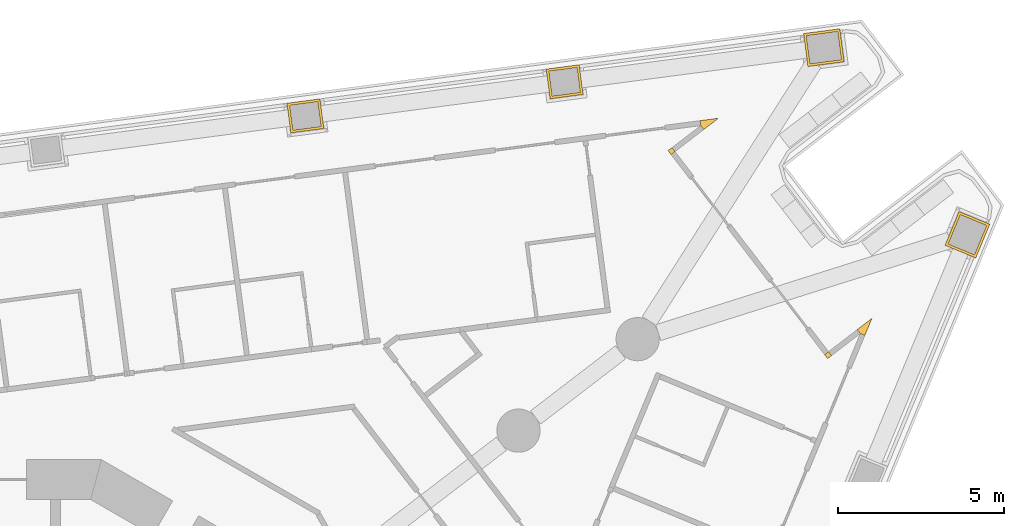
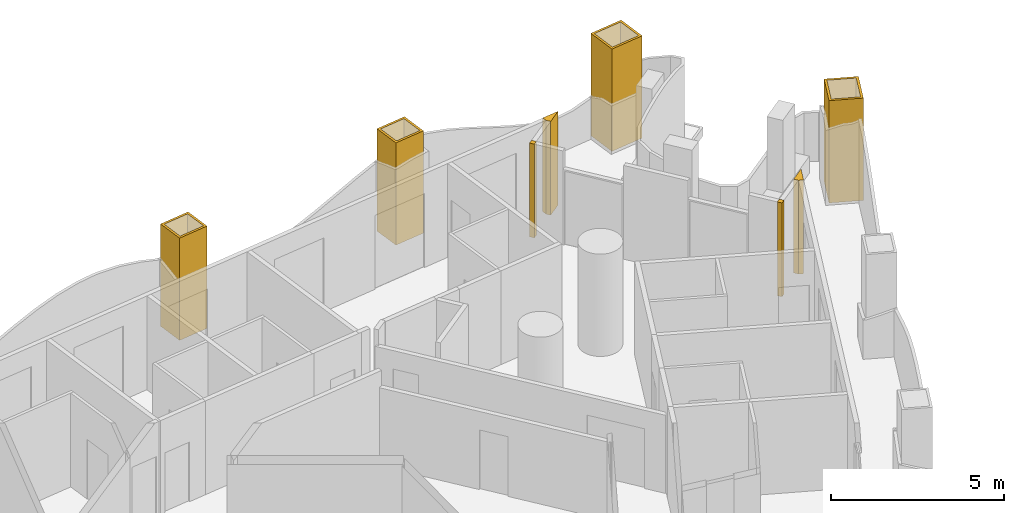
# One storey, part 18 of 19: 8 coverings.
"""IFC4 building model written with IfcOpenShell, lengths in metres."""

import ifcopenshell
import ifcopenshell.guid

model = None  # the IFC model being written
_history = None  # IfcOwnerHistory: only IFC2X3 demands one
_inside = {}  # id of a spatial element -> (the spatial element, [elements in it])
_under = {}  # id of a project, library or spatial element -> (it, [spatial elements below it])
_declared = {}  # id of a project -> (the project, [libraries it declares])
_typed = {}  # id of a type object -> (the type object, [elements of that type])
_made_of = {}  # id of a material, layer set ... -> (it, [elements and type objects made of it])


def new_model(schema):
    """Start an empty IFC model of exactly this schema.

    Asked for "IFC4X3", IfcOpenShell would pick the latest addendum, in which some entities
    have other attributes; the version numbers below select the first issue.
    IFC2X3 requires an IfcOwnerHistory on every rooted entity: one is made here for all.
    """
    global model, _history
    if schema == "IFC4X3":
        model = ifcopenshell.file(schema_version=(4, 3, 0, 0))
    else:
        model = ifcopenshell.file(schema=schema)
    _inside.clear()
    _under.clear()
    _declared.clear()
    _typed.clear()
    _made_of.clear()
    _history = None
    if model.schema == "IFC2X3":
        org = make("IfcOrganization", Name="unknown")
        user = make(
            "IfcPersonAndOrganization",
            ThePerson=make("IfcPerson", FamilyName="unknown"),
            TheOrganization=org,
        )
        app = make(
            "IfcApplication",
            ApplicationDeveloper=org,
            Version="unknown",
            ApplicationFullName="unknown",
            ApplicationIdentifier="unknown",
        )
        _history = make(
            "IfcOwnerHistory",
            OwningUser=user,
            OwningApplication=app,
            ChangeAction="ADDED",
            CreationDate=0,
        )
    return model


def make(cls, **values):
    """One entity of the class cls with the attributes given. An attribute that is None is left unset."""
    return model.create_entity(
        cls, **{name: value for name, value in values.items() if value is not None}
    )


def rooted(cls, **values):
    """An entity with a GlobalId (a new one), such as an element, a storey or a relation."""
    return make(cls, GlobalId=ifcopenshell.guid.new(), OwnerHistory=_history, **values)


def si_unit(unit_type, name, prefix=None):
    """IfcSIUnit, for example si_unit("LENGTHUNIT", "METRE", prefix="MILLI")."""
    return make("IfcSIUnit", UnitType=unit_type, Prefix=prefix, Name=name)


def assignment(units):
    """IfcUnitAssignment: the units of a project."""
    return None if units is None else make("IfcUnitAssignment", Units=units)


def point(xyz):
    """IfcCartesianPoint."""
    return None if xyz is None else make("IfcCartesianPoint", Coordinates=xyz)


def direction(xyz):
    """IfcDirection."""
    return None if xyz is None else make("IfcDirection", DirectionRatios=xyz)


def frame(location, z_axis=None, x_axis=None):
    """IfcAxis2Placement3D, a coordinate frame: its origin and axes. An axis left out is left unset."""
    return make(
        "IfcAxis2Placement3D",
        Location=point(location),
        Axis=direction(z_axis),
        RefDirection=direction(x_axis),
    )


def origin():
    """The frame at (0, 0, 0) with its axes left unset."""
    return frame((0.0, 0.0, 0.0))


def place(relative_to, where):
    """IfcLocalPlacement: puts the frame where relative to a parent placement (None: the world)."""
    return make(
        "IfcLocalPlacement", PlacementRelTo=relative_to, RelativePlacement=where
    )


def context(
    kind, dimensions, precision=None, world=None, true_north=None, identifier=None
):
    """IfcGeometricRepresentationContext, for example the 3D "Model" context."""
    return make(
        "IfcGeometricRepresentationContext",
        ContextIdentifier=identifier,
        ContextType=kind,
        CoordinateSpaceDimension=dimensions,
        Precision=precision,
        WorldCoordinateSystem=world,
        TrueNorth=true_north,
    )


def subcontext(parent, identifier, kind, view, scale=None):
    """IfcGeometricRepresentationSubContext, for example "Body" below "Model"."""
    return make(
        "IfcGeometricRepresentationSubContext",
        ContextIdentifier=identifier,
        ContextType=kind,
        ParentContext=parent,
        TargetScale=scale,
        TargetView=view,
    )


def project(units=None, contexts=None):
    """IfcProject with its units and contexts."""
    return rooted(
        "IfcProject",
        Name="project",
        RepresentationContexts=contexts,
        UnitsInContext=assignment(units),
    )


def spatial(cls, under=None, at=None, **own):
    """A site, building, storey or space (cls), placed at a placement, below another one or the project."""
    s = rooted(cls, ObjectPlacement=at, **own)
    if under is not None:
        _under.setdefault(under.id(), (under, []))[1].append(s)
    return s


def polyline(points):
    """IfcPolyline through the points."""
    return make("IfcPolyline", Points=[point(p) for p in points])


def outline(outer, holes=None, kind="AREA"):
    """IfcArbitraryClosedProfileDef: a profile drawn as a closed curve; with holes, ...WithVoids."""
    if holes is None:
        return make("IfcArbitraryClosedProfileDef", ProfileType=kind, OuterCurve=outer)
    return make(
        "IfcArbitraryProfileDefWithVoids",
        ProfileType=kind,
        OuterCurve=outer,
        InnerCurves=holes,
    )


def extrude(swept, where, along, depth):
    """IfcExtrudedAreaSolid: the profile swept, set in the frame where, extruded along a direction by depth."""
    return make(
        "IfcExtrudedAreaSolid",
        SweptArea=swept,
        Position=where,
        ExtrudedDirection=direction(along),
        Depth=depth,
    )


def shape(context_of_items, identifier, shape_type, items):
    """IfcShapeRepresentation: the items that make up one representation, for example the "Body"."""
    return make(
        "IfcShapeRepresentation",
        ContextOfItems=context_of_items,
        RepresentationIdentifier=identifier,
        RepresentationType=shape_type,
        Items=items,
    )


def material(Name=None, Category=None):
    """IfcMaterial."""
    return make("IfcMaterial", Name=Name, Category=Category)


def layer(
    of_material, thickness, ventilated=None, Name=None, Category=None, Priority=None
):
    """IfcMaterialLayer: one layer of a wall or slab, of a material (None: an air gap)."""
    return make(
        "IfcMaterialLayer",
        Material=of_material,
        LayerThickness=thickness,
        IsVentilated=ventilated,
        Name=Name,
        Category=Category,
        Priority=Priority,
    )


def layer_set(layers, Name=None):
    """IfcMaterialLayerSet."""
    return make("IfcMaterialLayerSet", MaterialLayers=layers, LayerSetName=Name)


def made_of(thing, what):
    """Note that an element or type object is made of a material, layer set ...; save() writes the relation."""
    if what is not None:
        _made_of.setdefault(what.id(), (what, []))[1].append(thing)
    return thing


def type_object(cls, material=None, **own):
    """A type object (cls), such as IfcWallType, which elements share."""
    return made_of(rooted(cls, **own), material)


def element(
    cls,
    number,
    at=None,
    inside=None,
    cuts=None,
    type_object=None,
    material=None,
    context=None,
    identifier="Body",
    shape_type=None,
    held_by="IfcProductDefinitionShape",
    body=None,
    shapes=None,
    **own,
):
    """One element of the class cls, such as IfcWall. Its Tag is "e" and its number.

    at: its placement. inside: the storey or other place that contains it. cuts: it is an
    opening in that element (IfcRelVoidsElement). A single representation is given by context,
    identifier, shape_type and body (its items); several are given by shapes. held_by: the class
    of the entity that holds the representations. save() writes the other relations.
    """
    e = rooted(cls, Tag="e%d" % number, ObjectPlacement=at, **own)
    if body is not None:
        shapes = [shape(context, identifier, shape_type, body)]
    if shapes is not None:
        e.Representation = make(held_by, Representations=shapes)
    if inside is not None:
        _inside.setdefault(inside.id(), (inside, []))[1].append(e)
    if cuts is not None:
        rooted(
            "IfcRelVoidsElement", RelatingBuildingElement=cuts, RelatedOpeningElement=e
        )
    if type_object is not None:
        _typed.setdefault(type_object.id(), (type_object, []))[1].append(e)
    return made_of(e, material)


def aggregate(whole, parts):
    """IfcRelAggregates: a whole, such as a stair, and the parts it consists of."""
    return rooted("IfcRelAggregates", RelatingObject=whole, RelatedObjects=parts)


def save(model, path):
    """Write the relations noted so far, then the file.

    IfcRelAggregates (storeys below a building ...), IfcRelContainedInSpatialStructure (elements
    in a storey), IfcRelDefinesByType, IfcRelAssociatesMaterial and IfcRelDeclares: one each for
    every whole, place, type object, material and project.
    """
    for whole, parts in _under.values():
        aggregate(whole, parts)
    for where, things in _inside.values():
        rooted(
            "IfcRelContainedInSpatialStructure",
            RelatedElements=things,
            RelatingStructure=where,
        )
    for kind, things in _typed.values():
        rooted("IfcRelDefinesByType", RelatedObjects=things, RelatingType=kind)
    for what, things in _made_of.values():
        rooted("IfcRelAssociatesMaterial", RelatedObjects=things, RelatingMaterial=what)
    for by, libraries in _declared.values():
        rooted("IfcRelDeclares", RelatingContext=by, RelatedDefinitions=libraries)
    model.write(path)


model = new_model("IFC4")

# Units and contexts
model_context = context("Model", 3, precision=1e-05, world=origin(), true_north=direction((0.0, 1.0)))
body_context = subcontext(model_context, "Body", "Model", "MODEL_VIEW")
ifc_project = project(units=[si_unit("LENGTHUNIT", "METRE"), si_unit("AREAUNIT", "SQUARE_METRE"), si_unit("VOLUMEUNIT", "CUBIC_METRE"), si_unit("PLANEANGLEUNIT", "RADIAN"), si_unit("MASSUNIT", "GRAM", prefix="KILO")], contexts=[model_context])

# Site, building, storey
site_placement = place(None, origin())
site = spatial("IfcSite", under=ifc_project, at=site_placement, CompositionType="ELEMENT")
building_placement = place(site_placement, origin())
building = spatial("IfcBuilding", under=site, at=building_placement, Name="Trine Commons Tower", CompositionType="ELEMENT")
storey_placement = place(building_placement, frame((0.0, 0.0, 57.60009765625)))
storey = spatial("IfcBuildingStorey", under=building, at=storey_placement, Name="L13", CompositionType="ELEMENT", Elevation=57.60009765625)

# Coverings
ifc_material_1 = material(Name="Aluminium-framed insulated wall panel", Category="aluminium")
ifc_layer_1 = layer(ifc_material_1, 0.14990234375)
ifc_layer_set_1 = layer_set([ifc_layer_1], Name="Aluminium-framed insulated wall panel")
covering_type_1 = type_object("IfcCoveringType", Name="Glazing corner post, aluminium", PredefinedType="CLADDING", material=ifc_layer_set_1)
covering_1_placement = place(storey_placement, origin())
element("IfcCovering", 1, at=covering_1_placement, inside=storey, type_object=covering_type_1, Name="Glazing corner post 2-05", PredefinedType="CLADDING", context=body_context, shape_type="SweptSolid", body=[
    extrude(outline(polyline([(101.056396484375, 83.434326171875), (101.50048828125, 83.775146484375), (100.945556640625, 83.7021484375), (100.965087890625, 83.553466796875), (101.056396484375, 83.434326171875)])), origin(), (0.0, 0.0, 1.0), 3.2998046875),
])
covering_2_placement = place(storey_placement, origin())
element("IfcCovering", 2, at=covering_2_placement, inside=storey, type_object=covering_type_1, Name="Glazing corner post 2-06", PredefinedType="CLADDING", context=body_context, shape_type="SweptSolid", body=[
    extrude(outline(polyline([(100.076171875, 82.68212890625), (100.195068359375, 82.7734375), (100.103759765625, 82.892333984375), (99.98486328125, 82.801025390625), (100.076171875, 82.68212890625)])), origin(), (0.0, 0.0, 1.0), 3.2998046875),
])
covering_3_placement = place(storey_placement, origin())
element("IfcCovering", 3, at=covering_3_placement, inside=storey, type_object=covering_type_1, Name="Glazing corner post 2-07", PredefinedType="CLADDING", context=body_context, shape_type="SweptSolid", body=[
    extrude(outline(polyline([(104.6904296875, 76.66845703125), (104.78173828125, 76.549560546875), (104.90087890625, 76.640869140625), (104.8095703125, 76.759765625), (104.6904296875, 76.66845703125)])), origin(), (0.0, 0.0, 1.0), 3.2998046875),
])
covering_4_placement = place(storey_placement, origin())
element("IfcCovering", 4, at=covering_4_placement, inside=storey, type_object=covering_type_1, Name="Glazing corner post 2-08", PredefinedType="CLADDING", context=body_context, shape_type="SweptSolid", body=[
    extrude(outline(polyline([(105.90087890625, 77.244384765625), (106.114990234375, 77.761474609375), (105.6708984375, 77.4208984375), (105.76220703125, 77.3017578125), (105.90087890625, 77.244384765625)])), origin(), (0.0, 0.0, 1.0), 3.2998046875),
])
ifc_material_2 = material(Name="Limestone, honed", Category="masonry")
ifc_layer_2 = layer(ifc_material_2, 0.074951171875)
ifc_layer_set_2 = layer_set([ifc_layer_2], Name="Limestone, honed")
covering_type_2 = type_object("IfcCoveringType", Name="Limestone column cladding 75", PredefinedType="CLADDING", material=ifc_layer_set_2)
covering_5_placement = place(storey_placement, origin())
element("IfcCovering", 5, at=covering_5_placement, inside=storey, type_object=covering_type_2, Name="Limestone pier cladding 2-14", PredefinedType="CLADDING", context=body_context, shape_type="SweptSolid", body=[
    extrude(outline(polyline([(89.636962890625, 83.464111328125), (89.519287109375, 84.356201171875), (88.52783203125, 84.225830078125), (88.6455078125, 83.33349609375), (89.636962890625, 83.464111328125)]), holes=[polyline([(89.552734375, 83.528564453125), (89.454833984375, 84.272216796875), (88.612060546875, 84.1611328125), (88.7099609375, 83.41748046875), (89.552734375, 83.528564453125)])]), origin(), (0.0, 0.0, 1.0), 3.599853515625),
])
covering_6_placement = place(storey_placement, origin())
element("IfcCovering", 6, at=covering_6_placement, inside=storey, type_object=covering_type_2, Name="Limestone pier cladding 2-15", PredefinedType="CLADDING", context=body_context, shape_type="SweptSolid", body=[
    extrude(outline(polyline([(97.43017578125, 84.489990234375), (97.312744140625, 85.38232421875), (96.3212890625, 85.251708984375), (96.438720703125, 84.359619140625), (97.43017578125, 84.489990234375)]), holes=[polyline([(97.345947265625, 84.5546875), (97.248046875, 85.298095703125), (96.405517578125, 85.187255859375), (96.50341796875, 84.443603515625), (97.345947265625, 84.5546875)])]), origin(), (0.0, 0.0, 1.0), 3.599853515625),
])
covering_7_placement = place(storey_placement, origin())
element("IfcCovering", 7, at=covering_7_placement, inside=storey, type_object=covering_type_2, Name="Limestone pier cladding 2-16", PredefinedType="CLADDING", context=body_context, shape_type="SweptSolid", body=[
    extrude(outline(polyline([(105.279541015625, 85.472900390625), (105.14892578125, 86.46435546875), (104.058349609375, 86.32080078125), (104.18896484375, 85.329345703125), (105.279541015625, 85.472900390625)]), holes=[polyline([(105.1953125, 85.53759765625), (105.08447265625, 86.38037109375), (104.142578125, 86.25634765625), (104.25341796875, 85.41357421875), (105.1953125, 85.53759765625)])]), origin(), (0.0, 0.0, 1.0), 3.599853515625),
])
covering_8_placement = place(storey_placement, origin())
element("IfcCovering", 8, at=covering_8_placement, inside=storey, type_object=covering_type_2, Name="Limestone pier cladding 2-17", PredefinedType="CLADDING", context=body_context, shape_type="SweptSolid", body=[
    extrude(outline(polyline([(109.65673828125, 80.589599609375), (108.73291015625, 80.972412109375), (108.31201171875, 79.9560546875), (109.23583984375, 79.5732421875), (109.65673828125, 80.589599609375)]), holes=[polyline([(109.558837890625, 80.549072265625), (108.7734375, 80.874267578125), (108.409912109375, 79.99658203125), (109.1953125, 79.67138671875), (109.558837890625, 80.549072265625)])]), origin(), (0.0, 0.0, 1.0), 3.599853515625),
])

save(model, "model.ifc")
